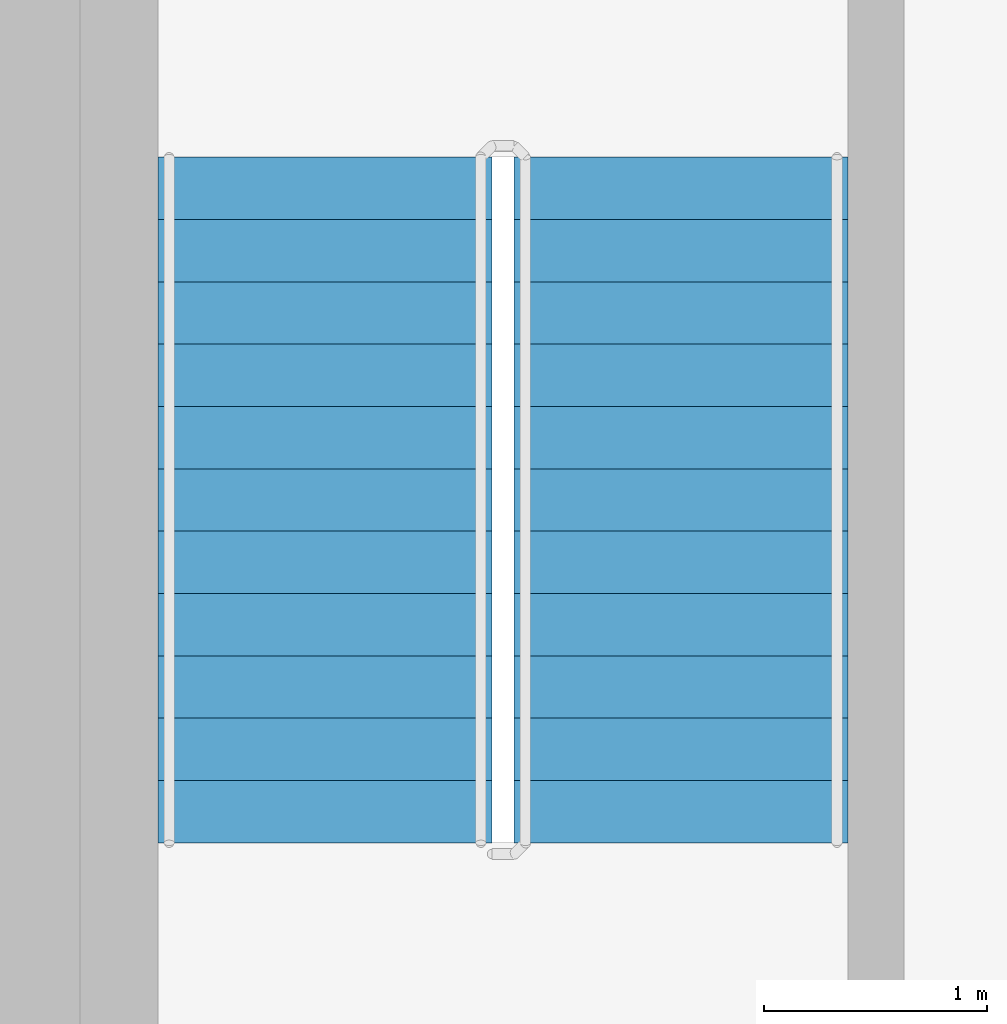
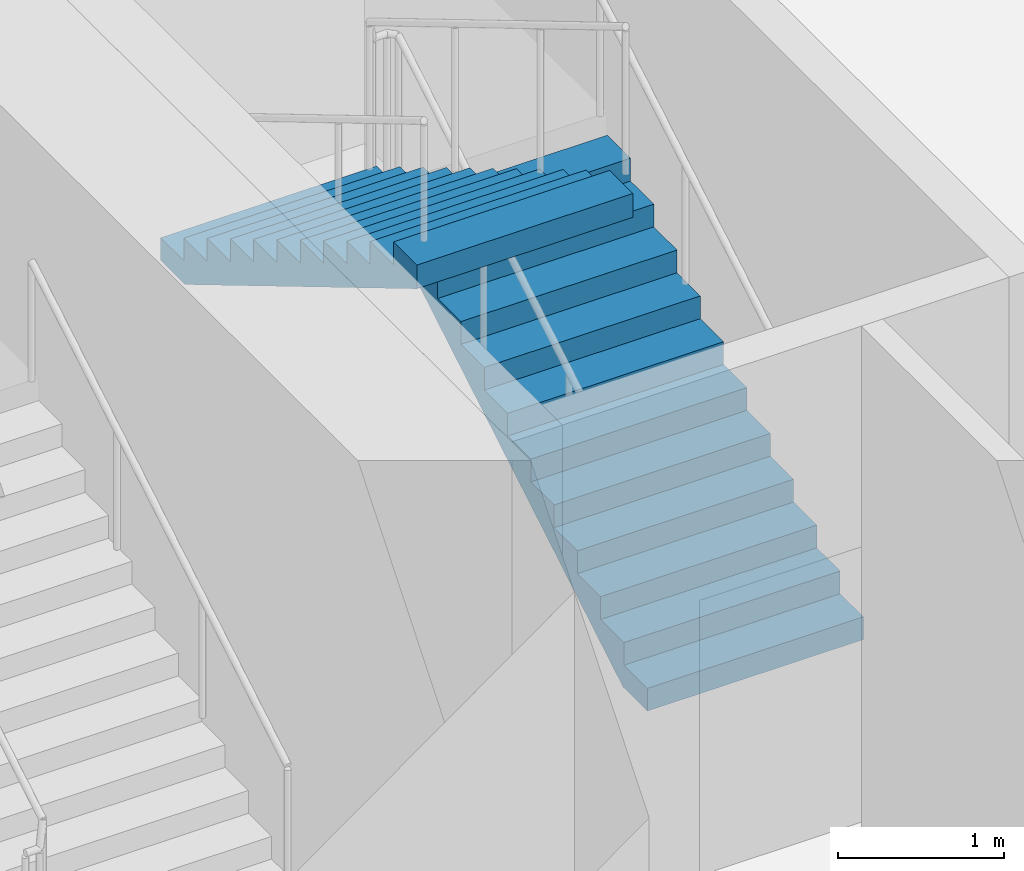
# One storey, part 19 of 27: 2 stair flights, 1 element without a shape of its own.
"""IFC4 building model written with IfcOpenShell, lengths in metres."""

from ifc_helpers import new_model, si_unit, direction, frame, origin, place, context, subcontext, project, spatial, triangles, source, transform, mapped, material, type_object, element, aggregate, save


model = new_model("IFC4")

# Units and contexts
model_context = context("Model", 3, precision=1e-05, world=origin(), true_north=direction((0.0, 1.0)))
body_context = subcontext(model_context, "Body", "Model", "MODEL_VIEW")
ifc_project = project(units=[si_unit("LENGTHUNIT", "METRE"), si_unit("AREAUNIT", "SQUARE_METRE"), si_unit("VOLUMEUNIT", "CUBIC_METRE"), si_unit("PLANEANGLEUNIT", "RADIAN"), si_unit("MASSUNIT", "GRAM", prefix="KILO")], contexts=[model_context])

# Site, building, storey
site_placement = place(None, origin())
site = spatial("IfcSite", under=ifc_project, at=site_placement, CompositionType="ELEMENT")
building_placement = place(site_placement, origin())
building = spatial("IfcBuilding", under=site, at=building_placement, Name="Kilnfold Tower and Market Hall", CompositionType="ELEMENT")
storey_placement = place(building_placement, frame((0.0, 0.0, 116.60009765625)))
storey = spatial("IfcBuildingStorey", under=building, at=storey_placement, Name="L27", CompositionType="ELEMENT", Elevation=116.60009765625)

# Stair, stair flights
ifc_material_1 = material(Name="Concrete C40/50", Category="concrete")
stair_type = type_object("IfcStairType", Name="CORE STAIR 1500", PredefinedType="HALF_TURN_STAIR", material=ifc_material_1)
stair_placement = place(storey_placement, origin())
stair = element("IfcStair", 1, at=stair_placement, inside=storey, type_object=stair_type, Name="L27 ST5", PredefinedType="HALF_TURN_STAIR")
ifc_material_2 = material(Name="Concrete C40/50", Category="concrete")
stair_flight_type = type_object("IfcStairFlightType", Name="CORE STAIR FLIGHT 1500", PredefinedType="STRAIGHT", material=ifc_material_2)
shared_shape = source(origin(), body_context, "Body", "Tessellation", [
    triangles([(0.0, 0.75, 0.0), (0.0, 0.65625, 0.0), (0.0, 0.5625, 0.0), (0.0, 0.46875, 0.0), (0.0, 0.375, 0.0), (0.0, 0.28125, 0.0), (0.0, 0.1875, 0.0), (0.0, 0.09375, 0.0), (0.0, 0.0, 0.0), (0.0, -0.09375, 0.0), (0.0, -0.1875, 0.0), (0.0, -0.28125, 0.0), (0.0, -0.375, 0.0), (0.0, -0.46875, 0.0), (0.0, -0.5625, 0.0), (0.0, -0.65625, 0.0), (0.0, -0.75, 0.0), (0.0, 0.75, 0.166748046875), (0.0, 0.65625, 0.166748046875), (0.0, 0.5625, 0.166748046875), (0.0, 0.46875, 0.166748046875), (0.0, 0.375, 0.166748046875), (0.0, 0.28125, 0.166748046875), (0.0, 0.1875, 0.166748046875), (0.0, 0.09375, 0.166748046875), (0.0, 0.0, 0.166748046875), (0.0, -0.09375, 0.166748046875), (0.0, -0.1875, 0.166748046875), (0.0, -0.28125, 0.166748046875), (0.0, -0.375, 0.166748046875), (0.0, -0.46875, 0.166748046875), (0.0, -0.5625, 0.166748046875), (0.0, -0.65625, 0.166748046875), (0.0, -0.75, 0.166748046875), (0.280029296875, 0.75, 0.166748046875), (0.280029296875, 0.65625, 0.166748046875), (0.280029296875, 0.5625, 0.166748046875), (0.280029296875, 0.46875, 0.166748046875), (0.280029296875, 0.375, 0.166748046875), (0.280029296875, 0.28125, 0.166748046875), (0.280029296875, 0.1875, 0.166748046875), (0.280029296875, 0.09375, 0.166748046875), (0.280029296875, 0.0, 0.166748046875), (0.280029296875, -0.09375, 0.166748046875), (0.280029296875, -0.1875, 0.166748046875), (0.280029296875, -0.28125, 0.166748046875), (0.280029296875, -0.375, 0.166748046875), (0.280029296875, -0.46875, 0.166748046875), (0.280029296875, -0.5625, 0.166748046875), (0.280029296875, -0.65625, 0.166748046875), (0.280029296875, -0.75, 0.166748046875), (0.280029296875, 0.75, 0.333251953125), (0.280029296875, 0.65625, 0.333251953125), (0.280029296875, 0.5625, 0.333251953125), (0.280029296875, 0.46875, 0.333251953125), (0.280029296875, 0.375, 0.333251953125), (0.280029296875, 0.28125, 0.333251953125), (0.280029296875, 0.1875, 0.333251953125), (0.280029296875, 0.09375, 0.333251953125), (0.280029296875, 0.0, 0.333251953125), (0.280029296875, -0.09375, 0.333251953125), (0.280029296875, -0.1875, 0.333251953125), (0.280029296875, -0.28125, 0.333251953125), (0.280029296875, -0.375, 0.333251953125), (0.280029296875, -0.46875, 0.333251953125), (0.280029296875, -0.5625, 0.333251953125), (0.280029296875, -0.65625, 0.333251953125), (0.280029296875, -0.75, 0.333251953125), (0.56005859375, 0.75, 0.333251953125), (0.56005859375, 0.65625, 0.333251953125), (0.56005859375, 0.5625, 0.333251953125), (0.56005859375, 0.46875, 0.333251953125), (0.56005859375, 0.375, 0.333251953125), (0.56005859375, 0.28125, 0.333251953125), (0.56005859375, 0.1875, 0.333251953125), (0.56005859375, 0.09375, 0.333251953125), (0.56005859375, 0.0, 0.333251953125), (0.56005859375, -0.09375, 0.333251953125), (0.56005859375, -0.1875, 0.333251953125), (0.56005859375, -0.28125, 0.333251953125), (0.56005859375, -0.375, 0.333251953125), (0.56005859375, -0.46875, 0.333251953125), (0.56005859375, -0.5625, 0.333251953125), (0.56005859375, -0.65625, 0.333251953125), (0.56005859375, -0.75, 0.333251953125), (0.56005859375, 0.75, 0.5), (0.56005859375, 0.65625, 0.5), (0.56005859375, 0.5625, 0.5), (0.56005859375, 0.46875, 0.5), (0.56005859375, 0.375, 0.5), (0.56005859375, 0.28125, 0.5), (0.56005859375, 0.1875, 0.5), (0.56005859375, 0.09375, 0.5), (0.56005859375, 0.0, 0.5), (0.56005859375, -0.09375, 0.5), (0.56005859375, -0.1875, 0.5), (0.56005859375, -0.28125, 0.5), (0.56005859375, -0.375, 0.5), (0.56005859375, -0.46875, 0.5), (0.56005859375, -0.5625, 0.5), (0.56005859375, -0.65625, 0.5), (0.56005859375, -0.75, 0.5), (0.840087890625, 0.75, 0.5), (0.840087890625, 0.65625, 0.5), (0.840087890625, 0.5625, 0.5), (0.840087890625, 0.46875, 0.5), (0.840087890625, 0.375, 0.5), (0.840087890625, 0.28125, 0.5), (0.840087890625, 0.1875, 0.5), (0.840087890625, 0.09375, 0.5), (0.840087890625, 0.0, 0.5), (0.840087890625, -0.09375, 0.5), (0.840087890625, -0.1875, 0.5), (0.840087890625, -0.28125, 0.5), (0.840087890625, -0.375, 0.5), (0.840087890625, -0.46875, 0.5), (0.840087890625, -0.5625, 0.5), (0.840087890625, -0.65625, 0.5), (0.840087890625, -0.75, 0.5), (0.840087890625, 0.75, 0.666748046875), (0.840087890625, 0.65625, 0.666748046875), (0.840087890625, 0.5625, 0.666748046875), (0.840087890625, 0.46875, 0.666748046875), (0.840087890625, 0.375, 0.666748046875), (0.840087890625, 0.28125, 0.666748046875), (0.840087890625, 0.1875, 0.666748046875), (0.840087890625, 0.09375, 0.666748046875), (0.840087890625, 0.0, 0.666748046875), (0.840087890625, -0.09375, 0.666748046875), (0.840087890625, -0.1875, 0.666748046875), (0.840087890625, -0.28125, 0.666748046875), (0.840087890625, -0.375, 0.666748046875), (0.840087890625, -0.46875, 0.666748046875), (0.840087890625, -0.5625, 0.666748046875), (0.840087890625, -0.65625, 0.666748046875), (0.840087890625, -0.75, 0.666748046875), (1.1201171875, 0.75, 0.666748046875), (1.1201171875, 0.65625, 0.666748046875), (1.1201171875, 0.5625, 0.666748046875), (1.1201171875, 0.46875, 0.666748046875), (1.1201171875, 0.375, 0.666748046875), (1.1201171875, 0.28125, 0.666748046875), (1.1201171875, 0.1875, 0.666748046875), (1.1201171875, 0.09375, 0.666748046875), (1.1201171875, 0.0, 0.666748046875), (1.1201171875, -0.09375, 0.666748046875), (1.1201171875, -0.1875, 0.666748046875), (1.1201171875, -0.28125, 0.666748046875), (1.1201171875, -0.375, 0.666748046875), (1.1201171875, -0.46875, 0.666748046875), (1.1201171875, -0.5625, 0.666748046875), (1.1201171875, -0.65625, 0.666748046875), (1.1201171875, -0.75, 0.666748046875), (1.1201171875, 0.75, 0.833251953125), (1.1201171875, 0.65625, 0.833251953125), (1.1201171875, 0.5625, 0.833251953125), (1.1201171875, 0.46875, 0.833251953125), (1.1201171875, 0.375, 0.833251953125), (1.1201171875, 0.28125, 0.833251953125), (1.1201171875, 0.1875, 0.833251953125), (1.1201171875, 0.09375, 0.833251953125), (1.1201171875, 0.0, 0.833251953125), (1.1201171875, -0.09375, 0.833251953125), (1.1201171875, -0.1875, 0.833251953125), (1.1201171875, -0.28125, 0.833251953125), (1.1201171875, -0.375, 0.833251953125), (1.1201171875, -0.46875, 0.833251953125), (1.1201171875, -0.5625, 0.833251953125), (1.1201171875, -0.65625, 0.833251953125), (1.1201171875, -0.75, 0.833251953125), (1.39990234375, 0.75, 0.833251953125), (1.39990234375, 0.65625, 0.833251953125), (1.39990234375, 0.5625, 0.833251953125), (1.39990234375, 0.46875, 0.833251953125), (1.39990234375, 0.375, 0.833251953125), (1.39990234375, 0.28125, 0.833251953125), (1.39990234375, 0.1875, 0.833251953125), (1.39990234375, 0.09375, 0.833251953125), (1.39990234375, 0.0, 0.833251953125), (1.39990234375, -0.09375, 0.833251953125), (1.39990234375, -0.1875, 0.833251953125), (1.39990234375, -0.28125, 0.833251953125), (1.39990234375, -0.375, 0.833251953125), (1.39990234375, -0.46875, 0.833251953125), (1.39990234375, -0.5625, 0.833251953125), (1.39990234375, -0.65625, 0.833251953125), (1.39990234375, -0.75, 0.833251953125), (1.39990234375, 0.75, 1.0), (1.39990234375, 0.65625, 1.0), (1.39990234375, 0.5625, 1.0), (1.39990234375, 0.46875, 1.0), (1.39990234375, 0.375, 1.0), (1.39990234375, 0.28125, 1.0), (1.39990234375, 0.1875, 1.0), (1.39990234375, 0.09375, 1.0), (1.39990234375, 0.0, 1.0), (1.39990234375, -0.09375, 1.0), (1.39990234375, -0.1875, 1.0), (1.39990234375, -0.28125, 1.0), (1.39990234375, -0.375, 1.0), (1.39990234375, -0.46875, 1.0), (1.39990234375, -0.5625, 1.0), (1.39990234375, -0.65625, 1.0), (1.39990234375, -0.75, 1.0), (1.679931640625, 0.75, 1.0), (1.679931640625, 0.65625, 1.0), (1.679931640625, 0.5625, 1.0), (1.679931640625, 0.46875, 1.0), (1.679931640625, 0.375, 1.0), (1.679931640625, 0.28125, 1.0), (1.679931640625, 0.1875, 1.0), (1.679931640625, 0.09375, 1.0), (1.679931640625, 0.0, 1.0), (1.679931640625, -0.09375, 1.0), (1.679931640625, -0.1875, 1.0), (1.679931640625, -0.28125, 1.0), (1.679931640625, -0.375, 1.0), (1.679931640625, -0.46875, 1.0), (1.679931640625, -0.5625, 1.0), (1.679931640625, -0.65625, 1.0), (1.679931640625, -0.75, 1.0), (1.679931640625, 0.75, 1.166748046875), (1.679931640625, 0.65625, 1.166748046875), (1.679931640625, 0.5625, 1.166748046875), (1.679931640625, 0.46875, 1.166748046875), (1.679931640625, 0.375, 1.166748046875), (1.679931640625, 0.28125, 1.166748046875), (1.679931640625, 0.1875, 1.166748046875), (1.679931640625, 0.09375, 1.166748046875), (1.679931640625, 0.0, 1.166748046875), (1.679931640625, -0.09375, 1.166748046875), (1.679931640625, -0.1875, 1.166748046875), (1.679931640625, -0.28125, 1.166748046875), (1.679931640625, -0.375, 1.166748046875), (1.679931640625, -0.46875, 1.166748046875), (1.679931640625, -0.5625, 1.166748046875), (1.679931640625, -0.65625, 1.166748046875), (1.679931640625, -0.75, 1.166748046875), (1.9599609375, 0.75, 1.166748046875), (1.9599609375, 0.65625, 1.166748046875), (1.9599609375, 0.5625, 1.166748046875), (1.9599609375, 0.46875, 1.166748046875), (1.9599609375, 0.375, 1.166748046875), (1.9599609375, 0.28125, 1.166748046875), (1.9599609375, 0.1875, 1.166748046875), (1.9599609375, 0.09375, 1.166748046875), (1.9599609375, 0.0, 1.166748046875), (1.9599609375, -0.09375, 1.166748046875), (1.9599609375, -0.1875, 1.166748046875), (1.9599609375, -0.28125, 1.166748046875), (1.9599609375, -0.375, 1.166748046875), (1.9599609375, -0.46875, 1.166748046875), (1.9599609375, -0.5625, 1.166748046875), (1.9599609375, -0.65625, 1.166748046875), (1.9599609375, -0.75, 1.166748046875), (1.9599609375, 0.75, 1.333251953125), (1.9599609375, 0.65625, 1.333251953125), (1.9599609375, 0.5625, 1.333251953125), (1.9599609375, 0.46875, 1.333251953125), (1.9599609375, 0.375, 1.333251953125), (1.9599609375, 0.28125, 1.333251953125), (1.9599609375, 0.1875, 1.333251953125), (1.9599609375, 0.09375, 1.333251953125), (1.9599609375, 0.0, 1.333251953125), (1.9599609375, -0.09375, 1.333251953125), (1.9599609375, -0.1875, 1.333251953125), (1.9599609375, -0.28125, 1.333251953125), (1.9599609375, -0.375, 1.333251953125), (1.9599609375, -0.46875, 1.333251953125), (1.9599609375, -0.5625, 1.333251953125), (1.9599609375, -0.65625, 1.333251953125), (1.9599609375, -0.75, 1.333251953125), (2.239990234375, 0.75, 1.333251953125), (2.239990234375, 0.65625, 1.333251953125), (2.239990234375, 0.5625, 1.333251953125), (2.239990234375, 0.46875, 1.333251953125), (2.239990234375, 0.375, 1.333251953125), (2.239990234375, 0.28125, 1.333251953125), (2.239990234375, 0.1875, 1.333251953125), (2.239990234375, 0.09375, 1.333251953125), (2.239990234375, 0.0, 1.333251953125), (2.239990234375, -0.09375, 1.333251953125), (2.239990234375, -0.1875, 1.333251953125), (2.239990234375, -0.28125, 1.333251953125), (2.239990234375, -0.375, 1.333251953125), (2.239990234375, -0.46875, 1.333251953125), (2.239990234375, -0.5625, 1.333251953125), (2.239990234375, -0.65625, 1.333251953125), (2.239990234375, -0.75, 1.333251953125), (2.239990234375, 0.75, 1.5), (2.239990234375, 0.65625, 1.5), (2.239990234375, 0.5625, 1.5), (2.239990234375, 0.46875, 1.5), (2.239990234375, 0.375, 1.5), (2.239990234375, 0.28125, 1.5), (2.239990234375, 0.1875, 1.5), (2.239990234375, 0.09375, 1.5), (2.239990234375, 0.0, 1.5), (2.239990234375, -0.09375, 1.5), (2.239990234375, -0.1875, 1.5), (2.239990234375, -0.28125, 1.5), (2.239990234375, -0.375, 1.5), (2.239990234375, -0.46875, 1.5), (2.239990234375, -0.5625, 1.5), (2.239990234375, -0.65625, 1.5), (2.239990234375, -0.75, 1.5), (2.52001953125, 0.75, 1.5), (2.52001953125, 0.65625, 1.5), (2.52001953125, 0.5625, 1.5), (2.52001953125, 0.46875, 1.5), (2.52001953125, 0.375, 1.5), (2.52001953125, 0.28125, 1.5), (2.52001953125, 0.1875, 1.5), (2.52001953125, 0.09375, 1.5), (2.52001953125, 0.0, 1.5), (2.52001953125, -0.09375, 1.5), (2.52001953125, -0.1875, 1.5), (2.52001953125, -0.28125, 1.5), (2.52001953125, -0.375, 1.5), (2.52001953125, -0.46875, 1.5), (2.52001953125, -0.5625, 1.5), (2.52001953125, -0.65625, 1.5), (2.52001953125, -0.75, 1.5), (2.52001953125, 0.75, 1.666748046875), (2.52001953125, 0.65625, 1.666748046875), (2.52001953125, 0.5625, 1.666748046875), (2.52001953125, 0.46875, 1.666748046875), (2.52001953125, 0.375, 1.666748046875), (2.52001953125, 0.28125, 1.666748046875), (2.52001953125, 0.1875, 1.666748046875), (2.52001953125, 0.09375, 1.666748046875), (2.52001953125, 0.0, 1.666748046875), (2.52001953125, -0.09375, 1.666748046875), (2.52001953125, -0.1875, 1.666748046875), (2.52001953125, -0.28125, 1.666748046875), (2.52001953125, -0.375, 1.666748046875), (2.52001953125, -0.46875, 1.666748046875), (2.52001953125, -0.5625, 1.666748046875), (2.52001953125, -0.65625, 1.666748046875), (2.52001953125, -0.75, 1.666748046875), (2.800048828125, 0.75, 1.666748046875), (2.800048828125, 0.65625, 1.666748046875), (2.800048828125, 0.5625, 1.666748046875), (2.800048828125, 0.46875, 1.666748046875), (2.800048828125, 0.375, 1.666748046875), (2.800048828125, 0.28125, 1.666748046875), (2.800048828125, 0.1875, 1.666748046875), (2.800048828125, 0.09375, 1.666748046875), (2.800048828125, 0.0, 1.666748046875), (2.800048828125, -0.09375, 1.666748046875), (2.800048828125, -0.1875, 1.666748046875), (2.800048828125, -0.28125, 1.666748046875), (2.800048828125, -0.375, 1.666748046875), (2.800048828125, -0.46875, 1.666748046875), (2.800048828125, -0.5625, 1.666748046875), (2.800048828125, -0.65625, 1.666748046875), (2.800048828125, -0.75, 1.666748046875), (2.800048828125, 0.75, 1.833251953125), (2.800048828125, 0.65625, 1.833251953125), (2.800048828125, 0.5625, 1.833251953125), (2.800048828125, 0.46875, 1.833251953125), (2.800048828125, 0.375, 1.833251953125), (2.800048828125, 0.28125, 1.833251953125), (2.800048828125, 0.1875, 1.833251953125), (2.800048828125, 0.09375, 1.833251953125), (2.800048828125, 0.0, 1.833251953125), (2.800048828125, -0.09375, 1.833251953125), (2.800048828125, -0.1875, 1.833251953125), (2.800048828125, -0.28125, 1.833251953125), (2.800048828125, -0.375, 1.833251953125), (2.800048828125, -0.46875, 1.833251953125), (2.800048828125, -0.5625, 1.833251953125), (2.800048828125, -0.65625, 1.833251953125), (2.800048828125, -0.75, 1.833251953125), (3.080078125, 0.75, 1.833251953125), (3.080078125, 0.65625, 1.833251953125), (3.080078125, 0.5625, 1.833251953125), (3.080078125, 0.46875, 1.833251953125), (3.080078125, 0.375, 1.833251953125), (3.080078125, 0.28125, 1.833251953125), (3.080078125, 0.1875, 1.833251953125), (3.080078125, 0.09375, 1.833251953125), (3.080078125, 0.0, 1.833251953125), (3.080078125, -0.09375, 1.833251953125), (3.080078125, -0.1875, 1.833251953125), (3.080078125, -0.28125, 1.833251953125), (3.080078125, -0.375, 1.833251953125), (3.080078125, -0.46875, 1.833251953125), (3.080078125, -0.5625, 1.833251953125), (3.080078125, -0.65625, 1.833251953125), (3.080078125, -0.75, 1.833251953125), (3.080078125, 0.75, 1.658935546875), (3.080078125, 0.65625, 1.658935546875), (3.080078125, 0.5625, 1.658935546875), (3.080078125, 0.46875, 1.658935546875), (3.080078125, 0.375, 1.658935546875), (3.080078125, 0.28125, 1.658935546875), (3.080078125, 0.1875, 1.658935546875), (3.080078125, 0.09375, 1.658935546875), (3.080078125, 0.0, 1.658935546875), (3.080078125, -0.09375, 1.658935546875), (3.080078125, -0.1875, 1.658935546875), (3.080078125, -0.28125, 1.658935546875), (3.080078125, -0.375, 1.658935546875), (3.080078125, -0.46875, 1.658935546875), (3.080078125, -0.5625, 1.658935546875), (3.080078125, -0.65625, 1.658935546875), (3.080078125, -0.75, 1.658935546875), (0.29296875, 0.75, 0.0), (0.29296875, 0.65625, 0.0), (0.29296875, 0.5625, 0.0), (0.29296875, 0.46875, 0.0), (0.29296875, 0.375, 0.0), (0.29296875, 0.28125, 0.0), (0.29296875, 0.1875, 0.0), (0.29296875, 0.09375, 0.0), (0.29296875, 0.0, 0.0), (0.29296875, -0.09375, 0.0), (0.29296875, -0.1875, 0.0), (0.29296875, -0.28125, 0.0), (0.29296875, -0.375, 0.0), (0.29296875, -0.46875, 0.0), (0.29296875, -0.5625, 0.0), (0.29296875, -0.65625, 0.0), (0.29296875, -0.75, 0.0)], [[1, 392, 409], [17, 425, 408], [392, 358, 375], [408, 391, 374], [392, 341, 358], [408, 374, 357], [392, 324, 341], [408, 357, 340], [392, 307, 324], [408, 340, 323], [307, 273, 290], [323, 306, 289], [392, 273, 307], [408, 323, 289], [273, 239, 256], [289, 272, 255], [392, 239, 273], [408, 289, 255], [239, 205, 222], [255, 238, 221], [392, 205, 239], [408, 255, 221], [205, 171, 188], [221, 204, 187], [392, 171, 205], [408, 221, 187], [171, 137, 154], [187, 170, 153], [392, 137, 171], [408, 187, 153], [137, 103, 120], [153, 136, 119], [392, 103, 137], [408, 153, 119], [103, 69, 86], [119, 102, 85], [392, 69, 103], [408, 119, 85], [1, 69, 392], [17, 408, 85], [69, 35, 52], [85, 68, 51], [1, 35, 69], [17, 85, 51], [35, 1, 18], [51, 34, 17], [1, 19, 18], [1, 2, 19], [2, 20, 19], [2, 3, 20], [3, 21, 20], [3, 4, 21], [4, 22, 21], [4, 5, 22], [5, 23, 22], [5, 6, 23], [6, 24, 23], [6, 7, 24], [7, 25, 24], [7, 8, 25], [8, 26, 25], [8, 9, 26], [9, 27, 26], [9, 10, 27], [10, 28, 27], [10, 11, 28], [11, 29, 28], [11, 12, 29], [12, 30, 29], [12, 13, 30], [13, 31, 30], [13, 14, 31], [14, 32, 31], [14, 15, 32], [15, 33, 32], [15, 16, 33], [16, 34, 33], [16, 17, 34], [18, 36, 35], [18, 19, 36], [19, 37, 36], [19, 20, 37], [20, 38, 37], [20, 21, 38], [21, 39, 38], [21, 22, 39], [22, 40, 39], [22, 23, 40], [23, 41, 40], [23, 24, 41], [24, 42, 41], [24, 25, 42], [25, 43, 42], [25, 26, 43], [26, 44, 43], [26, 27, 44], [27, 45, 44], [27, 28, 45], [28, 46, 45], [28, 29, 46], [29, 47, 46], [29, 30, 47], [30, 48, 47], [30, 31, 48], [31, 49, 48], [31, 32, 49], [32, 50, 49], [32, 33, 50], [33, 51, 50], [33, 34, 51], [35, 53, 52], [35, 36, 53], [36, 54, 53], [36, 37, 54], [37, 55, 54], [37, 38, 55], [38, 56, 55], [38, 39, 56], [39, 57, 56], [39, 40, 57], [40, 58, 57], [40, 41, 58], [41, 59, 58], [41, 42, 59], [42, 60, 59], [42, 43, 60], [43, 61, 60], [43, 44, 61], [44, 62, 61], [44, 45, 62], [45, 63, 62], [45, 46, 63], [46, 64, 63], [46, 47, 64], [47, 65, 64], [47, 48, 65], [48, 66, 65], [48, 49, 66], [49, 67, 66], [49, 50, 67], [50, 68, 67], [50, 51, 68], [52, 70, 69], [52, 53, 70], [53, 71, 70], [53, 54, 71], [54, 72, 71], [54, 55, 72], [55, 73, 72], [55, 56, 73], [56, 74, 73], [56, 57, 74], [57, 75, 74], [57, 58, 75], [58, 76, 75], [58, 59, 76], [59, 77, 76], [59, 60, 77], [60, 78, 77], [60, 61, 78], [61, 79, 78], [61, 62, 79], [62, 80, 79], [62, 63, 80], [63, 81, 80], [63, 64, 81], [64, 82, 81], [64, 65, 82], [65, 83, 82], [65, 66, 83], [66, 84, 83], [66, 67, 84], [67, 85, 84], [67, 68, 85], [69, 87, 86], [69, 70, 87], [70, 88, 87], [70, 71, 88], [71, 89, 88], [71, 72, 89], [72, 90, 89], [72, 73, 90], [73, 91, 90], [73, 74, 91], [74, 92, 91], [74, 75, 92], [75, 93, 92], [75, 76, 93], [76, 94, 93], [76, 77, 94], [77, 95, 94], [77, 78, 95], [78, 96, 95], [78, 79, 96], [79, 97, 96], [79, 80, 97], [80, 98, 97], [80, 81, 98], [81, 99, 98], [81, 82, 99], [82, 100, 99], [82, 83, 100], [83, 101, 100], [83, 84, 101], [84, 102, 101], [84, 85, 102], [86, 104, 103], [86, 87, 104], [87, 105, 104], [87, 88, 105], [88, 106, 105], [88, 89, 106], [89, 107, 106], [89, 90, 107], [90, 108, 107], [90, 91, 108], [91, 109, 108], [91, 92, 109], [92, 110, 109], [92, 93, 110], [93, 111, 110], [93, 94, 111], [94, 112, 111], [94, 95, 112], [95, 113, 112], [95, 96, 113], [96, 114, 113], [96, 97, 114], [97, 115, 114], [97, 98, 115], [98, 116, 115], [98, 99, 116], [99, 117, 116], [99, 100, 117], [100, 118, 117], [100, 101, 118], [101, 119, 118], [101, 102, 119], [103, 121, 120], [103, 104, 121], [104, 122, 121], [104, 105, 122], [105, 123, 122], [105, 106, 123], [106, 124, 123], [106, 107, 124], [107, 125, 124], [107, 108, 125], [108, 126, 125], [108, 109, 126], [109, 127, 126], [109, 110, 127], [110, 128, 127], [110, 111, 128], [111, 129, 128], [111, 112, 129], [112, 130, 129], [112, 113, 130], [113, 131, 130], [113, 114, 131], [114, 132, 131], [114, 115, 132], [115, 133, 132], [115, 116, 133], [116, 134, 133], [116, 117, 134], [117, 135, 134], [117, 118, 135], [118, 136, 135], [118, 119, 136], [120, 138, 137], [120, 121, 138], [121, 139, 138], [121, 122, 139], [122, 140, 139], [122, 123, 140], [123, 141, 140], [123, 124, 141], [124, 142, 141], [124, 125, 142], [125, 143, 142], [125, 126, 143], [126, 144, 143], [126, 127, 144], [127, 145, 144], [127, 128, 145], [128, 146, 145], [128, 129, 146], [129, 147, 146], [129, 130, 147], [130, 148, 147], [130, 131, 148], [131, 149, 148], [131, 132, 149], [132, 150, 149], [132, 133, 150], [133, 151, 150], [133, 134, 151], [134, 152, 151], [134, 135, 152], [135, 153, 152], [135, 136, 153], [137, 155, 154], [137, 138, 155], [138, 156, 155], [138, 139, 156], [139, 157, 156], [139, 140, 157], [140, 158, 157], [140, 141, 158], [141, 159, 158], [141, 142, 159], [142, 160, 159], [142, 143, 160], [143, 161, 160], [143, 144, 161], [144, 162, 161], [144, 145, 162], [145, 163, 162], [145, 146, 163], [146, 164, 163], [146, 147, 164], [147, 165, 164], [147, 148, 165], [148, 166, 165], [148, 149, 166], [149, 167, 166], [149, 150, 167], [150, 168, 167], [150, 151, 168], [151, 169, 168], [151, 152, 169], [152, 170, 169], [152, 153, 170], [154, 172, 171], [154, 155, 172], [155, 173, 172], [155, 156, 173], [156, 174, 173], [156, 157, 174], [157, 175, 174], [157, 158, 175], [158, 176, 175], [158, 159, 176], [159, 177, 176], [159, 160, 177], [160, 178, 177], [160, 161, 178], [161, 179, 178], [161, 162, 179], [162, 180, 179], [162, 163, 180], [163, 181, 180], [163, 164, 181], [164, 182, 181], [164, 165, 182], [165, 183, 182], [165, 166, 183], [166, 184, 183], [166, 167, 184], [167, 185, 184], [167, 168, 185], [168, 186, 185], [168, 169, 186], [169, 187, 186], [169, 170, 187], [171, 189, 188], [171, 172, 189], [172, 190, 189], [172, 173, 190], [173, 191, 190], [173, 174, 191], [174, 192, 191], [174, 175, 192], [175, 193, 192], [175, 176, 193], [176, 194, 193], [176, 177, 194], [177, 195, 194], [177, 178, 195], [178, 196, 195], [178, 179, 196], [179, 197, 196], [179, 180, 197], [180, 198, 197], [180, 181, 198], [181, 199, 198], [181, 182, 199], [182, 200, 199], [182, 183, 200], [183, 201, 200], [183, 184, 201], [184, 202, 201], [184, 185, 202], [185, 203, 202], [185, 186, 203], [186, 204, 203], [186, 187, 204], [188, 206, 205], [188, 189, 206], [189, 207, 206], [189, 190, 207], [190, 208, 207], [190, 191, 208], [191, 209, 208], [191, 192, 209], [192, 210, 209], [192, 193, 210], [193, 211, 210], [193, 194, 211], [194, 212, 211], [194, 195, 212], [195, 213, 212], [195, 196, 213], [196, 214, 213], [196, 197, 214], [197, 215, 214], [197, 198, 215], [198, 216, 215], [198, 199, 216], [199, 217, 216], [199, 200, 217], [200, 218, 217], [200, 201, 218], [201, 219, 218], [201, 202, 219], [202, 220, 219], [202, 203, 220], [203, 221, 220], [203, 204, 221], [205, 223, 222], [205, 206, 223], [206, 224, 223], [206, 207, 224], [207, 225, 224], [207, 208, 225], [208, 226, 225], [208, 209, 226], [209, 227, 226], [209, 210, 227], [210, 228, 227], [210, 211, 228], [211, 229, 228], [211, 212, 229], [212, 230, 229], [212, 213, 230], [213, 231, 230], [213, 214, 231], [214, 232, 231], [214, 215, 232], [215, 233, 232], [215, 216, 233], [216, 234, 233], [216, 217, 234], [217, 235, 234], [217, 218, 235], [218, 236, 235], [218, 219, 236], [219, 237, 236], [219, 220, 237], [220, 238, 237], [220, 221, 238], [222, 240, 239], [222, 223, 240], [223, 241, 240], [223, 224, 241], [224, 242, 241], [224, 225, 242], [225, 243, 242], [225, 226, 243], [226, 244, 243], [226, 227, 244], [227, 245, 244], [227, 228, 245], [228, 246, 245], [228, 229, 246], [229, 247, 246], [229, 230, 247], [230, 248, 247], [230, 231, 248], [231, 249, 248], [231, 232, 249], [232, 250, 249], [232, 233, 250], [233, 251, 250], [233, 234, 251], [234, 252, 251], [234, 235, 252], [235, 253, 252], [235, 236, 253], [236, 254, 253], [236, 237, 254], [237, 255, 254], [237, 238, 255], [239, 257, 256], [239, 240, 257], [240, 258, 257], [240, 241, 258], [241, 259, 258], [241, 242, 259], [242, 260, 259], [242, 243, 260], [243, 261, 260], [243, 244, 261], [244, 262, 261], [244, 245, 262], [245, 263, 262], [245, 246, 263], [246, 264, 263], [246, 247, 264], [247, 265, 264], [247, 248, 265], [248, 266, 265], [248, 249, 266], [249, 267, 266], [249, 250, 267], [250, 268, 267], [250, 251, 268], [251, 269, 268], [251, 252, 269], [252, 270, 269], [252, 253, 270], [253, 271, 270], [253, 254, 271], [254, 272, 271], [254, 255, 272], [256, 274, 273], [256, 257, 274], [257, 275, 274], [257, 258, 275], [258, 276, 275], [258, 259, 276], [259, 277, 276], [259, 260, 277], [260, 278, 277], [260, 261, 278], [261, 279, 278], [261, 262, 279], [262, 280, 279], [262, 263, 280], [263, 281, 280], [263, 264, 281], [264, 282, 281], [264, 265, 282], [265, 283, 282], [265, 266, 283], [266, 284, 283], [266, 267, 284], [267, 285, 284], [267, 268, 285], [268, 286, 285], [268, 269, 286], [269, 287, 286], [269, 270, 287], [270, 288, 287], [270, 271, 288], [271, 289, 288], [271, 272, 289], [273, 291, 290], [273, 274, 291], [274, 292, 291], [274, 275, 292], [275, 293, 292], [275, 276, 293], [276, 294, 293], [276, 277, 294], [277, 295, 294], [277, 278, 295], [278, 296, 295], [278, 279, 296], [279, 297, 296], [279, 280, 297], [280, 298, 297], [280, 281, 298], [281, 299, 298], [281, 282, 299], [282, 300, 299], [282, 283, 300], [283, 301, 300], [283, 284, 301], [284, 302, 301], [284, 285, 302], [285, 303, 302], [285, 286, 303], [286, 304, 303], [286, 287, 304], [287, 305, 304], [287, 288, 305], [288, 306, 305], [288, 289, 306], [290, 308, 307], [290, 291, 308], [291, 309, 308], [291, 292, 309], [292, 310, 309], [292, 293, 310], [293, 311, 310], [293, 294, 311], [294, 312, 311], [294, 295, 312], [295, 313, 312], [295, 296, 313], [296, 314, 313], [296, 297, 314], [297, 315, 314], [297, 298, 315], [298, 316, 315], [298, 299, 316], [299, 317, 316], [299, 300, 317], [300, 318, 317], [300, 301, 318], [301, 319, 318], [301, 302, 319], [302, 320, 319], [302, 303, 320], [303, 321, 320], [303, 304, 321], [304, 322, 321], [304, 305, 322], [305, 323, 322], [305, 306, 323], [307, 325, 324], [307, 308, 325], [308, 326, 325], [308, 309, 326], [309, 327, 326], [309, 310, 327], [310, 328, 327], [310, 311, 328], [311, 329, 328], [311, 312, 329], [312, 330, 329], [312, 313, 330], [313, 331, 330], [313, 314, 331], [314, 332, 331], [314, 315, 332], [315, 333, 332], [315, 316, 333], [316, 334, 333], [316, 317, 334], [317, 335, 334], [317, 318, 335], [318, 336, 335], [318, 319, 336], [319, 337, 336], [319, 320, 337], [320, 338, 337], [320, 321, 338], [321, 339, 338], [321, 322, 339], [322, 340, 339], [322, 323, 340], [324, 342, 341], [324, 325, 342], [325, 343, 342], [325, 326, 343], [326, 344, 343], [326, 327, 344], [327, 345, 344], [327, 328, 345], [328, 346, 345], [328, 329, 346], [329, 347, 346], [329, 330, 347], [330, 348, 347], [330, 331, 348], [331, 349, 348], [331, 332, 349], [332, 350, 349], [332, 333, 350], [333, 351, 350], [333, 334, 351], [334, 352, 351], [334, 335, 352], [335, 353, 352], [335, 336, 353], [336, 354, 353], [336, 337, 354], [337, 355, 354], [337, 338, 355], [338, 356, 355], [338, 339, 356], [339, 357, 356], [339, 340, 357], [341, 359, 358], [341, 342, 359], [342, 360, 359], [342, 343, 360], [343, 361, 360], [343, 344, 361], [344, 362, 361], [344, 345, 362], [345, 363, 362], [345, 346, 363], [346, 364, 363], [346, 347, 364], [347, 365, 364], [347, 348, 365], [348, 366, 365], [348, 349, 366], [349, 367, 366], [349, 350, 367], [350, 368, 367], [350, 351, 368], [351, 369, 368], [351, 352, 369], [352, 370, 369], [352, 353, 370], [353, 371, 370], [353, 354, 371], [354, 372, 371], [354, 355, 372], [355, 373, 372], [355, 356, 373], [356, 374, 373], [356, 357, 374], [358, 376, 375], [358, 359, 376], [359, 377, 376], [359, 360, 377], [360, 378, 377], [360, 361, 378], [361, 379, 378], [361, 362, 379], [362, 380, 379], [362, 363, 380], [363, 381, 380], [363, 364, 381], [364, 382, 381], [364, 365, 382], [365, 383, 382], [365, 366, 383], [366, 384, 383], [366, 367, 384], [367, 385, 384], [367, 368, 385], [368, 386, 385], [368, 369, 386], [369, 387, 386], [369, 370, 387], [370, 388, 387], [370, 371, 388], [371, 389, 388], [371, 372, 389], [372, 390, 389], [372, 373, 390], [373, 391, 390], [373, 374, 391], [375, 393, 392], [375, 376, 393], [376, 394, 393], [376, 377, 394], [377, 395, 394], [377, 378, 395], [378, 396, 395], [378, 379, 396], [379, 397, 396], [379, 380, 397], [380, 398, 397], [380, 381, 398], [381, 399, 398], [381, 382, 399], [382, 400, 399], [382, 383, 400], [383, 401, 400], [383, 384, 401], [384, 402, 401], [384, 385, 402], [385, 403, 402], [385, 386, 403], [386, 404, 403], [386, 387, 404], [387, 405, 404], [387, 388, 405], [388, 406, 405], [388, 389, 406], [389, 407, 406], [389, 390, 407], [390, 408, 407], [390, 391, 408], [392, 410, 409], [392, 393, 410], [393, 411, 410], [393, 394, 411], [394, 412, 411], [394, 395, 412], [395, 413, 412], [395, 396, 413], [396, 414, 413], [396, 397, 414], [397, 415, 414], [397, 398, 415], [398, 416, 415], [398, 399, 416], [399, 417, 416], [399, 400, 417], [400, 418, 417], [400, 401, 418], [401, 419, 418], [401, 402, 419], [402, 420, 419], [402, 403, 420], [403, 421, 420], [403, 404, 421], [404, 422, 421], [404, 405, 422], [405, 423, 422], [405, 406, 423], [406, 424, 423], [406, 407, 424], [407, 425, 424], [407, 408, 425], [409, 2, 1], [409, 410, 2], [410, 3, 2], [410, 411, 3], [411, 4, 3], [411, 412, 4], [412, 5, 4], [412, 413, 5], [413, 6, 5], [413, 414, 6], [414, 7, 6], [414, 415, 7], [415, 8, 7], [415, 416, 8], [416, 9, 8], [416, 417, 9], [417, 10, 9], [417, 418, 10], [418, 11, 10], [418, 419, 11], [419, 12, 11], [419, 420, 12], [420, 13, 12], [420, 421, 13], [421, 14, 13], [421, 422, 14], [422, 15, 14], [422, 423, 15], [423, 16, 15], [423, 424, 16], [424, 17, 16], [424, 425, 17]], closed=True),
])
stair_flight_1_placement = place(storey_placement, frame((20.699951171875, 11.5, 0.0), z_axis=(0.0, 0.0, 1.0), x_axis=(0.0, 1.0, 0.0)))
stair_flight_1 = element("IfcStairFlight", 2, at=stair_flight_1_placement, type_object=stair_flight_type, Name="ST5 flight 1", NumberOfRisers=12, NumberOfTreads=11, PredefinedType="STRAIGHT", RiserHeight=0.166666667, TreadLength=0.28, context=body_context, shape_type="MappedRepresentation", body=[
    mapped(shared_shape, transform((0.0, 0.0, 0.0))),
])
stair_flight_2_placement = place(storey_placement, frame((19.10009765625, 14.580078125, 2.0), z_axis=(0.0, 0.0, 1.0), x_axis=(0.0, -1.0, 0.0)))
stair_flight_2 = element("IfcStairFlight", 3, at=stair_flight_2_placement, type_object=stair_flight_type, Name="ST5 flight 2", NumberOfRisers=12, NumberOfTreads=11, PredefinedType="STRAIGHT", RiserHeight=0.166666667, TreadLength=0.28, context=body_context, shape_type="MappedRepresentation", body=[
    mapped(shared_shape, transform((0.0, 0.0, 0.0))),
])
aggregate(stair, [stair_flight_1, stair_flight_2])

save(model, "model.ifc")
